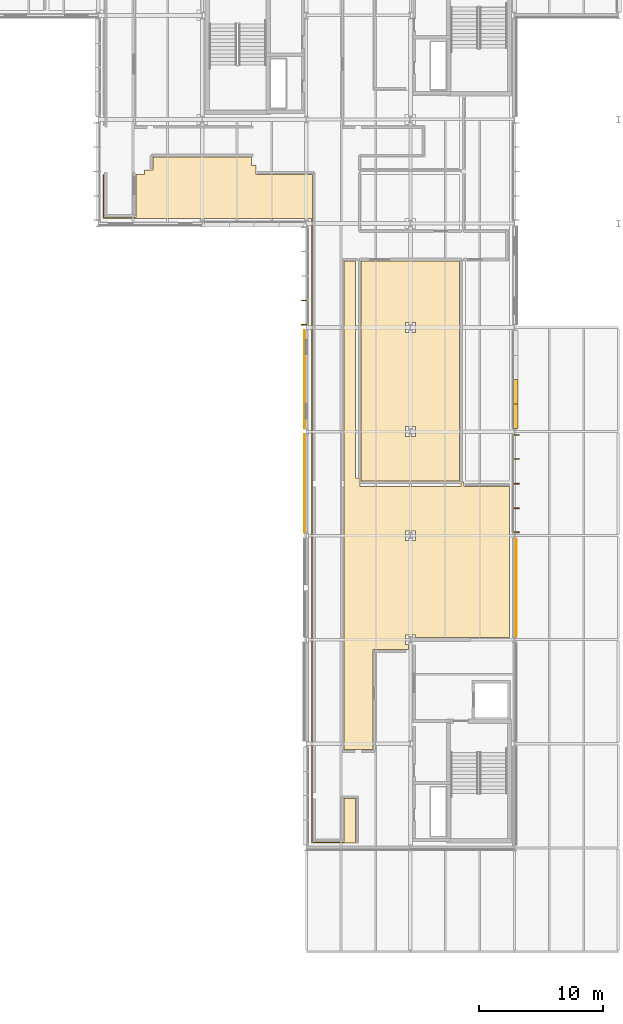
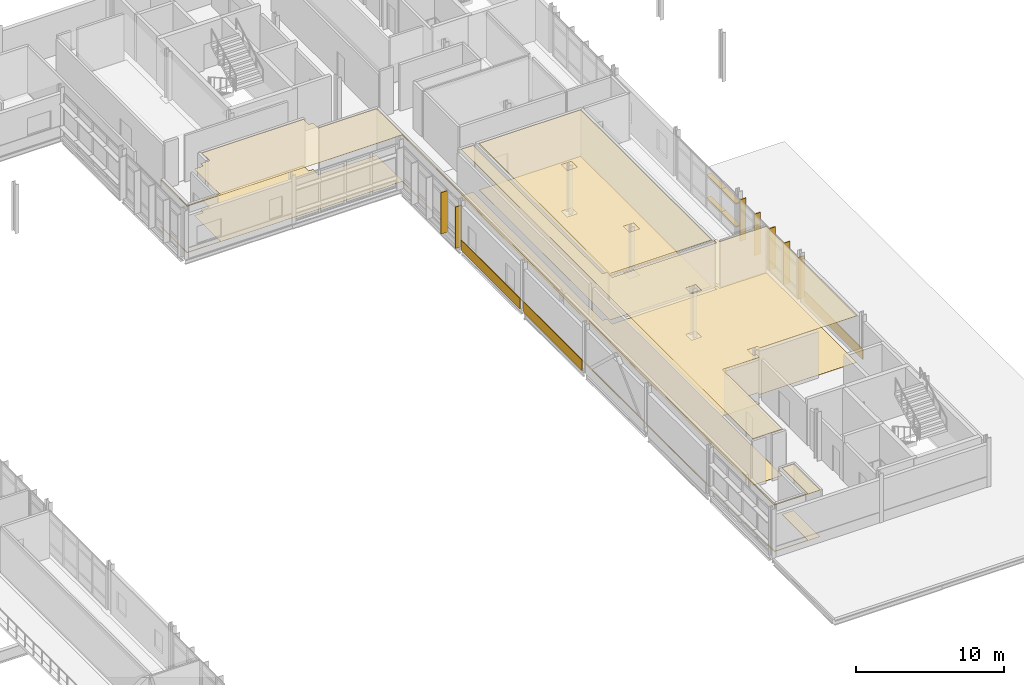
# One storey, part 148 of 151: 11 shading devices, 9 coverings.
"""IFC4 building model written with IfcOpenShell, lengths in metres."""

import ifcopenshell
import ifcopenshell.guid

model = None  # the IFC model being written
_history = None  # IfcOwnerHistory: only IFC2X3 demands one
_inside = {}  # id of a spatial element -> (the spatial element, [elements in it])
_under = {}  # id of a project, library or spatial element -> (it, [spatial elements below it])
_declared = {}  # id of a project -> (the project, [libraries it declares])
_typed = {}  # id of a type object -> (the type object, [elements of that type])
_made_of = {}  # id of a material, layer set ... -> (it, [elements and type objects made of it])


def new_model(schema):
    """Start an empty IFC model of exactly this schema.

    Asked for "IFC4X3", IfcOpenShell would pick the latest addendum, in which some entities
    have other attributes; the version numbers below select the first issue.
    IFC2X3 requires an IfcOwnerHistory on every rooted entity: one is made here for all.
    """
    global model, _history
    if schema == "IFC4X3":
        model = ifcopenshell.file(schema_version=(4, 3, 0, 0))
    else:
        model = ifcopenshell.file(schema=schema)
    _inside.clear()
    _under.clear()
    _declared.clear()
    _typed.clear()
    _made_of.clear()
    _history = None
    if model.schema == "IFC2X3":
        org = make("IfcOrganization", Name="unknown")
        user = make(
            "IfcPersonAndOrganization",
            ThePerson=make("IfcPerson", FamilyName="unknown"),
            TheOrganization=org,
        )
        app = make(
            "IfcApplication",
            ApplicationDeveloper=org,
            Version="unknown",
            ApplicationFullName="unknown",
            ApplicationIdentifier="unknown",
        )
        _history = make(
            "IfcOwnerHistory",
            OwningUser=user,
            OwningApplication=app,
            ChangeAction="ADDED",
            CreationDate=0,
        )
    return model


def make(cls, **values):
    """One entity of the class cls with the attributes given. An attribute that is None is left unset."""
    return model.create_entity(
        cls, **{name: value for name, value in values.items() if value is not None}
    )


def rooted(cls, **values):
    """An entity with a GlobalId (a new one), such as an element, a storey or a relation."""
    return make(cls, GlobalId=ifcopenshell.guid.new(), OwnerHistory=_history, **values)


def si_unit(unit_type, name, prefix=None):
    """IfcSIUnit, for example si_unit("LENGTHUNIT", "METRE", prefix="MILLI")."""
    return make("IfcSIUnit", UnitType=unit_type, Prefix=prefix, Name=name)


def assignment(units):
    """IfcUnitAssignment: the units of a project."""
    return None if units is None else make("IfcUnitAssignment", Units=units)


def point(xyz):
    """IfcCartesianPoint."""
    return None if xyz is None else make("IfcCartesianPoint", Coordinates=xyz)


def direction(xyz):
    """IfcDirection."""
    return None if xyz is None else make("IfcDirection", DirectionRatios=xyz)


def frame(location, z_axis=None, x_axis=None):
    """IfcAxis2Placement3D, a coordinate frame: its origin and axes. An axis left out is left unset."""
    return make(
        "IfcAxis2Placement3D",
        Location=point(location),
        Axis=direction(z_axis),
        RefDirection=direction(x_axis),
    )


def frame_2d(location, x_axis=None):
    """IfcAxis2Placement2D, a coordinate frame in the plane: its origin and x axis."""
    return make(
        "IfcAxis2Placement2D", Location=point(location), RefDirection=direction(x_axis)
    )


def origin():
    """The frame at (0, 0, 0) with its axes left unset."""
    return frame((0.0, 0.0, 0.0))


def origin_2d():
    """The frame at (0, 0) in the plane with its x axis left unset."""
    return frame_2d((0.0, 0.0))


def place(relative_to, where):
    """IfcLocalPlacement: puts the frame where relative to a parent placement (None: the world)."""
    return make(
        "IfcLocalPlacement", PlacementRelTo=relative_to, RelativePlacement=where
    )


def context(
    kind, dimensions, precision=None, world=None, true_north=None, identifier=None
):
    """IfcGeometricRepresentationContext, for example the 3D "Model" context."""
    return make(
        "IfcGeometricRepresentationContext",
        ContextIdentifier=identifier,
        ContextType=kind,
        CoordinateSpaceDimension=dimensions,
        Precision=precision,
        WorldCoordinateSystem=world,
        TrueNorth=true_north,
    )


def subcontext(parent, identifier, kind, view, scale=None):
    """IfcGeometricRepresentationSubContext, for example "Body" below "Model"."""
    return make(
        "IfcGeometricRepresentationSubContext",
        ContextIdentifier=identifier,
        ContextType=kind,
        ParentContext=parent,
        TargetScale=scale,
        TargetView=view,
    )


def project(units=None, contexts=None):
    """IfcProject with its units and contexts."""
    return rooted(
        "IfcProject",
        Name="project",
        RepresentationContexts=contexts,
        UnitsInContext=assignment(units),
    )


def spatial(cls, under=None, at=None, **own):
    """A site, building, storey or space (cls), placed at a placement, below another one or the project."""
    s = rooted(cls, ObjectPlacement=at, **own)
    if under is not None:
        _under.setdefault(under.id(), (under, []))[1].append(s)
    return s


def polyline(points):
    """IfcPolyline through the points."""
    return make("IfcPolyline", Points=[point(p) for p in points])


def profile(cls, at=None, kind="AREA", **sizes):
    """A parametric profile (cls). Its sizes go by their IFC names, for example OverallWidth=200.0."""
    return make(cls, ProfileType=kind, Position=at, **sizes)


def rectangle(**sizes):
    """IfcRectangleProfileDef."""
    return profile("IfcRectangleProfileDef", **sizes)


def outline(outer, holes=None, kind="AREA"):
    """IfcArbitraryClosedProfileDef: a profile drawn as a closed curve; with holes, ...WithVoids."""
    if holes is None:
        return make("IfcArbitraryClosedProfileDef", ProfileType=kind, OuterCurve=outer)
    return make(
        "IfcArbitraryProfileDefWithVoids",
        ProfileType=kind,
        OuterCurve=outer,
        InnerCurves=holes,
    )


def extrude(swept, where, along, depth):
    """IfcExtrudedAreaSolid: the profile swept, set in the frame where, extruded along a direction by depth."""
    return make(
        "IfcExtrudedAreaSolid",
        SweptArea=swept,
        Position=where,
        ExtrudedDirection=direction(along),
        Depth=depth,
    )


def shape(context_of_items, identifier, shape_type, items):
    """IfcShapeRepresentation: the items that make up one representation, for example the "Body"."""
    return make(
        "IfcShapeRepresentation",
        ContextOfItems=context_of_items,
        RepresentationIdentifier=identifier,
        RepresentationType=shape_type,
        Items=items,
    )


def material(Name=None, Category=None):
    """IfcMaterial."""
    return make("IfcMaterial", Name=Name, Category=Category)


def layer(
    of_material, thickness, ventilated=None, Name=None, Category=None, Priority=None
):
    """IfcMaterialLayer: one layer of a wall or slab, of a material (None: an air gap)."""
    return make(
        "IfcMaterialLayer",
        Material=of_material,
        LayerThickness=thickness,
        IsVentilated=ventilated,
        Name=Name,
        Category=Category,
        Priority=Priority,
    )


def layer_set(layers, Name=None):
    """IfcMaterialLayerSet."""
    return make("IfcMaterialLayerSet", MaterialLayers=layers, LayerSetName=Name)


def made_of(thing, what):
    """Note that an element or type object is made of a material, layer set ...; save() writes the relation."""
    if what is not None:
        _made_of.setdefault(what.id(), (what, []))[1].append(thing)
    return thing


def type_object(cls, material=None, **own):
    """A type object (cls), such as IfcWallType, which elements share."""
    return made_of(rooted(cls, **own), material)


def element(
    cls,
    number,
    at=None,
    inside=None,
    cuts=None,
    type_object=None,
    material=None,
    context=None,
    identifier="Body",
    shape_type=None,
    held_by="IfcProductDefinitionShape",
    body=None,
    shapes=None,
    **own,
):
    """One element of the class cls, such as IfcWall. Its Tag is "e" and its number.

    at: its placement. inside: the storey or other place that contains it. cuts: it is an
    opening in that element (IfcRelVoidsElement). A single representation is given by context,
    identifier, shape_type and body (its items); several are given by shapes. held_by: the class
    of the entity that holds the representations. save() writes the other relations.
    """
    e = rooted(cls, Tag="e%d" % number, ObjectPlacement=at, **own)
    if body is not None:
        shapes = [shape(context, identifier, shape_type, body)]
    if shapes is not None:
        e.Representation = make(held_by, Representations=shapes)
    if inside is not None:
        _inside.setdefault(inside.id(), (inside, []))[1].append(e)
    if cuts is not None:
        rooted(
            "IfcRelVoidsElement", RelatingBuildingElement=cuts, RelatedOpeningElement=e
        )
    if type_object is not None:
        _typed.setdefault(type_object.id(), (type_object, []))[1].append(e)
    return made_of(e, material)


def aggregate(whole, parts):
    """IfcRelAggregates: a whole, such as a stair, and the parts it consists of."""
    return rooted("IfcRelAggregates", RelatingObject=whole, RelatedObjects=parts)


def save(model, path):
    """Write the relations noted so far, then the file.

    IfcRelAggregates (storeys below a building ...), IfcRelContainedInSpatialStructure (elements
    in a storey), IfcRelDefinesByType, IfcRelAssociatesMaterial and IfcRelDeclares: one each for
    every whole, place, type object, material and project.
    """
    for whole, parts in _under.values():
        aggregate(whole, parts)
    for where, things in _inside.values():
        rooted(
            "IfcRelContainedInSpatialStructure",
            RelatedElements=things,
            RelatingStructure=where,
        )
    for kind, things in _typed.values():
        rooted("IfcRelDefinesByType", RelatedObjects=things, RelatingType=kind)
    for what, things in _made_of.values():
        rooted("IfcRelAssociatesMaterial", RelatedObjects=things, RelatingMaterial=what)
    for by, libraries in _declared.values():
        rooted("IfcRelDeclares", RelatingContext=by, RelatedDefinitions=libraries)
    model.write(path)


model = new_model("IFC4")

# Units and contexts
model_context = context("Model", 3, precision=1e-05, world=origin(), true_north=direction((0.0, 1.0)))
body_context = subcontext(model_context, "Body", "Model", "MODEL_VIEW")
ifc_project = project(units=[si_unit("LENGTHUNIT", "METRE"), si_unit("AREAUNIT", "SQUARE_METRE"), si_unit("VOLUMEUNIT", "CUBIC_METRE"), si_unit("PLANEANGLEUNIT", "RADIAN"), si_unit("MASSUNIT", "GRAM", prefix="KILO")], contexts=[model_context])

# Site, building, storey
site_placement = place(None, origin())
site = spatial("IfcSite", under=ifc_project, at=site_placement, CompositionType="ELEMENT")
building_placement = place(site_placement, origin())
building = spatial("IfcBuilding", under=site, at=building_placement, Name="Mersafa Astral City Hall", CompositionType="ELEMENT")
storey_placement = place(building_placement, frame((0.0, 0.0, 9.89990234375)))
storey = spatial("IfcBuildingStorey", under=building, at=storey_placement, Name="L02", CompositionType="ELEMENT", Elevation=9.89990234375)

# Coverings
ifc_material_1 = material(Name="Cairo Mokattam buff limestone cladding", Category="masonry")
ifc_layer_1 = layer(ifc_material_1, 0.06005859375, Name="Cairo Mokattam buff limestone cladding")
ifc_layer_set_1 = layer_set([ifc_layer_1], Name="Cairo Mokattam buff limestone cladding — ENV-COV-LIMESTONE-60")
covering_type_1 = type_object("IfcCoveringType", Name="ENV-COV-LIMESTONE-60", PredefinedType="CLADDING", material=ifc_layer_set_1)
covering_1_placement = place(storey_placement, frame((159.445556640625, 88.2099609375, 0.0), z_axis=(0.0, 0.0, 1.0), x_axis=(0.0, -1.0, 0.0)))
element("IfcCovering", 1, at=covering_1_placement, inside=storey, type_object=covering_type_1, Name="L02 Cairo buff limestone rainscreen cladding 164", PredefinedType="CLADDING", context=body_context, shape_type="SweptSolid", body=[
    extrude(rectangle(XDim=7.968017578125, YDim=0.06005859375, at=origin_2d()), origin(), (0.0, 0.0, 1.0), 0.860107421875),
])
covering_2_placement = place(storey_placement, frame((159.452880859375, 79.8125, 0.0), z_axis=(0.0, 0.0, 1.0), x_axis=(0.0, -1.0, 0.0)))
element("IfcCovering", 2, at=covering_2_placement, inside=storey, type_object=covering_type_1, Name="L02 Cairo buff limestone rainscreen cladding 165", PredefinedType="CLADDING", context=body_context, shape_type="SweptSolid", body=[
    extrude(rectangle(XDim=7.923095703125, YDim=0.06005859375, at=origin_2d()), origin(), (0.0, 0.0, 1.0), 0.860107421875),
])
covering_3_placement = place(storey_placement, frame((176.53955078125, 71.39990234375, 0.0), z_axis=(0.0, 0.0, 1.0), x_axis=(0.0, 1.0, 0.0)))
element("IfcCovering", 3, at=covering_3_placement, inside=storey, type_object=covering_type_1, Name="L02 Cairo buff limestone rainscreen cladding 172", PredefinedType="CLADDING", context=body_context, shape_type="SweptSolid", body=[
    extrude(rectangle(XDim=7.89794921875, YDim=0.06005859375, at=origin_2d()), origin(), (0.0, 0.0, 1.0), 0.860107421875),
])

# Shading devices
ifc_material_2 = material(Name="Anodised bronze aluminium solar fin", Category="aluminium")
shading_device_type_1 = type_object("IfcShadingDeviceType", Name="ENV-SHD-FIN-500A", PredefinedType="USERDEFINED", material=ifc_material_2)
for number, where, z_axis, x_axis, name in (
    (4, (159.455078125, 94.57861328125, -0.01513671875), (0.0, 0.0, 1.0), (0.0, -1.0, 0.0), "L02 Vertical bronze solar fin 782"),
    (5, (159.455078125, 92.6220703125, -0.01513671875), (0.0, 0.0, 1.0), (0.0, -1.0, 0.0), "L02 Vertical bronze solar fin 783"),
    (6, (176.544921875, 75.866943359375, -0.01513671875), (0.0, 0.0, 1.0), (0.0, 1.0, 0.0), "L02 Vertical bronze solar fin 792"),
    (7, (176.544921875, 77.818603515625, -0.01513671875), (0.0, 0.0, 1.0), (0.0, 1.0, 0.0), "L02 Vertical bronze solar fin 793"),
    (8, (176.544921875, 79.800048828125, -0.01513671875), (0.0, 0.0, 1.0), (0.0, 1.0, 0.0), "L02 Vertical bronze solar fin 794"),
    (9, (176.544921875, 81.781494140625, -0.01513671875), (0.0, 0.0, 1.0), (0.0, 1.0, 0.0), "L02 Vertical bronze solar fin 795"),
    (10, (176.544921875, 83.73291015625, -0.01513671875), (0.0, 0.0, 1.0), (0.0, 1.0, 0.0), "L02 Vertical bronze solar fin 796"),
):
    element("IfcShadingDevice", number, at=place(storey_placement, frame(where, z_axis=z_axis, x_axis=x_axis)), inside=storey, type_object=shading_device_type_1, Name=name, ObjectType="FIN", PredefinedType="USERDEFINED", context=body_context, shape_type="SweptSolid", body=[
        extrude(rectangle(XDim=0.06005859375, YDim=0.5, at=origin_2d()), origin(), (0.0, 0.0, 1.0), 3.422119140625),
    ])
ifc_material_3 = material(Name="Kiln-dried cedar timber brise-soleil blade", Category="wood")
shading_device_type_2 = type_object("IfcShadingDeviceType", Name="ENV-SHD-LOUVRE-380", PredefinedType="JALOUSIE", material=ifc_material_3)
shading_device_1_placement = place(storey_placement, frame((176.47998046875, 85.242919921875, 0.81494140625), z_axis=(0.0, 0.0, 1.0), x_axis=(0.0, 1.0, 0.0)))
element("IfcShadingDevice", 11, at=shading_device_1_placement, inside=storey, type_object=shading_device_type_2, Name="L02 Horizontal cedar brise-soleil louvre 797", PredefinedType="JALOUSIE", context=body_context, shape_type="SweptSolid", body=[
    extrude(rectangle(XDim=1.991455078125, YDim=0.3798828125, at=origin_2d()), origin(), (0.0, 0.0, 1.0), 0.070068359375),
])
shading_device_2_placement = place(storey_placement, frame((176.47998046875, 87.209228515625, 0.81494140625), z_axis=(0.0, 0.0, 1.0), x_axis=(0.0, 1.0, 0.0)))
element("IfcShadingDevice", 12, at=shading_device_2_placement, inside=storey, type_object=shading_device_type_2, Name="L02 Horizontal cedar brise-soleil louvre 798", PredefinedType="JALOUSIE", context=body_context, shape_type="SweptSolid", body=[
    extrude(rectangle(XDim=2.021484375, YDim=0.3798828125, at=origin_2d()), origin(), (0.0, 0.0, 1.0), 0.070068359375),
])
shading_device_3_placement = place(storey_placement, frame((176.47998046875, 85.242919921875, 2.71484375), z_axis=(0.0, 0.0, 1.0), x_axis=(0.0, 1.0, 0.0)))
element("IfcShadingDevice", 13, at=shading_device_3_placement, inside=storey, type_object=shading_device_type_2, Name="L02 Horizontal cedar brise-soleil louvre 801", PredefinedType="JALOUSIE", context=body_context, shape_type="SweptSolid", body=[
    extrude(rectangle(XDim=1.991455078125, YDim=0.3798828125, at=origin_2d()), origin(), (0.0, 0.0, 1.0), 0.070068359375),
])
shading_device_4_placement = place(storey_placement, frame((176.47998046875, 87.209228515625, 2.71484375), z_axis=(0.0, 0.0, 1.0), x_axis=(0.0, 1.0, 0.0)))
element("IfcShadingDevice", 14, at=shading_device_4_placement, inside=storey, type_object=shading_device_type_2, Name="L02 Horizontal cedar brise-soleil louvre 802", PredefinedType="JALOUSIE", context=body_context, shape_type="SweptSolid", body=[
    extrude(rectangle(XDim=2.021484375, YDim=0.3798828125, at=origin_2d()), origin(), (0.0, 0.0, 1.0), 0.070068359375),
])

# Coverings
ifc_material_4 = material(Name="Perforated acoustic gypsum board ceiling", Category="gypsum")
ifc_layer_2 = layer(ifc_material_4, 0.02490234375, Name="Perforated acoustic gypsum board ceiling")
ifc_layer_set_2 = layer_set([ifc_layer_2], Name="Perforated acoustic gypsum board ceiling — INT-COV-CEIL-25")
covering_type_2 = type_object("IfcCoveringType", Name="INT-COV-CEIL-25", PredefinedType="CEILING", material=ifc_layer_set_2)
covering_4_placement = place(storey_placement, frame((0.0, 0.0, 3.8310546875)))
element("IfcCovering", 15, at=covering_4_placement, inside=storey, type_object=covering_type_2, Name="L02 Hearing Room L02-04 acoustic ceiling", PredefinedType="CEILING", context=body_context, shape_type="SweptSolid", body=[
    extrude(outline(polyline([(164.030029296875, 80.030029296875), (164.030029296875, 97.760009765625), (171.969970703125, 97.760009765625), (171.969970703125, 80.030029296875), (164.030029296875, 80.030029296875)]), holes=[polyline([(168.39501953125, 83.60498046875), (168.39501953125, 84.39501953125), (167.60498046875, 84.39501953125), (167.60498046875, 83.60498046875), (168.39501953125, 83.60498046875)]), polyline([(167.60498046875, 92.0048828125), (168.39501953125, 92.0048828125), (168.39501953125, 92.794921875), (167.60498046875, 92.794921875), (167.60498046875, 92.0048828125)])]), origin(), (0.0, 0.0, 1.0), 0.025146484375),
])
covering_5_placement = place(storey_placement, frame((0.0, 0.0, 3.8310546875)))
element("IfcCovering", 16, at=covering_5_placement, inside=storey, type_object=covering_type_2, Name="L02 Municipal Reference Reading Room L02-06 acoustic ceiling", PredefinedType="CEILING", context=body_context, shape_type="SweptSolid", body=[
    extrude(outline(polyline([(172.320068359375, 79.919921875), (172.320068359375, 79.570068359375), (176.0, 79.570068359375), (176.0, 67.360107421875), (168.39501953125, 67.360107421875), (168.39501953125, 67.594970703125), (167.60498046875, 67.594970703125), (167.60498046875, 66.804931640625), (167.840087890625, 66.804931640625), (167.840087890625, 66.419921875), (164.9599609375, 66.419921875), (164.9599609375, 58.320068359375), (162.639892578125, 58.320068359375), (162.639892578125, 97.760009765625), (163.570068359375, 97.760009765625), (163.570068359375, 80.27001953125), (163.919921875, 80.27001953125), (163.919921875, 79.570068359375), (172.080078125, 79.570068359375), (172.080078125, 79.919921875), (172.320068359375, 79.919921875)]), holes=[polyline([(168.39501953125, 75.205078125), (168.39501953125, 75.9951171875), (167.60498046875, 75.9951171875), (167.60498046875, 75.205078125), (168.39501953125, 75.205078125)])]), origin(), (0.0, 0.0, 1.0), 0.025146484375),
])
covering_6_placement = place(storey_placement, frame((0.0, 0.0, 3.8310546875)))
element("IfcCovering", 17, at=covering_6_placement, inside=storey, type_object=covering_type_2, Name="L02 Standing Committee Room L02-30 acoustic ceiling", PredefinedType="CEILING", context=body_context, shape_type="SweptSolid", body=[
    extrude(outline(polyline([(143.219970703125, 101.219970703125), (143.199951171875, 101.219970703125), (143.199951171875, 104.77001953125), (143.280029296875, 104.77001953125), (143.280029296875, 101.280029296875), (145.840087890625, 101.280029296875), (145.840087890625, 104.77001953125), (146.530029296875, 104.77001953125), (146.530029296875, 105.1201171875), (147.22998046875, 105.1201171875), (147.22998046875, 106.159912109375), (155.169921875, 106.159912109375), (155.169921875, 105.469970703125), (155.52001953125, 105.469970703125), (155.52001953125, 104.77001953125), (160.080078125, 104.77001953125), (160.080078125, 50.8798828125), (162.639892578125, 50.8798828125), (162.639892578125, 54.3701171875), (163.570068359375, 54.3701171875), (163.570068359375, 50.800048828125), (160.0, 50.800048828125), (160.0, 100.3798828125), (160.02001953125, 100.3798828125), (160.02001953125, 101.219970703125), (159.179931640625, 101.219970703125), (159.179931640625, 101.199951171875), (151.6201171875, 101.199951171875), (151.6201171875, 101.219970703125), (150.780029296875, 101.219970703125), (150.780029296875, 101.199951171875), (143.219970703125, 101.199951171875), (143.219970703125, 101.219970703125)])), origin(), (0.0, 0.0, 1.0), 0.025146484375),
])
ifc_material_5 = material(Name="Heavy-duty woven acoustic carpet tile", Category="finish")
ifc_layer_3 = layer(ifc_material_5, 0.014892578125, Name="Heavy-duty woven acoustic carpet tile")
ifc_layer_set_3 = layer_set([ifc_layer_3], Name="Heavy-duty woven acoustic carpet tile — INT-COV-FLR-15")
covering_type_3 = type_object("IfcCoveringType", Name="INT-COV-FLR-15", PredefinedType="FLOORING", material=ifc_layer_set_3)
covering_7_placement = place(storey_placement, frame((0.0, 0.0, -0.00146484375)))
element("IfcCovering", 18, at=covering_7_placement, inside=storey, type_object=covering_type_3, Name="L02 Hearing Room L02-04 architectural flooring", PredefinedType="FLOORING", context=body_context, shape_type="SweptSolid", body=[
    extrude(outline(polyline([(164.030029296875, 80.030029296875), (164.030029296875, 97.760009765625), (171.969970703125, 97.760009765625), (171.969970703125, 80.030029296875), (164.030029296875, 80.030029296875)]), holes=[polyline([(168.39501953125, 83.60498046875), (168.39501953125, 84.39501953125), (167.60498046875, 84.39501953125), (167.60498046875, 83.60498046875), (168.39501953125, 83.60498046875)]), polyline([(167.60498046875, 92.0048828125), (168.39501953125, 92.0048828125), (168.39501953125, 92.794921875), (167.60498046875, 92.794921875), (167.60498046875, 92.0048828125)])]), origin(), (0.0, 0.0, 1.0), 0.014892578125),
])
covering_8_placement = place(storey_placement, frame((0.0, 0.0, -0.00146484375)))
element("IfcCovering", 19, at=covering_8_placement, inside=storey, type_object=covering_type_3, Name="L02 Municipal Reference Reading Room L02-06 architectural flooring", PredefinedType="FLOORING", context=body_context, shape_type="SweptSolid", body=[
    extrude(outline(polyline([(172.320068359375, 79.919921875), (172.320068359375, 79.570068359375), (176.0, 79.570068359375), (176.0, 67.360107421875), (168.39501953125, 67.360107421875), (168.39501953125, 67.594970703125), (167.60498046875, 67.594970703125), (167.60498046875, 66.804931640625), (167.840087890625, 66.804931640625), (167.840087890625, 66.419921875), (164.9599609375, 66.419921875), (164.9599609375, 58.320068359375), (162.639892578125, 58.320068359375), (162.639892578125, 97.760009765625), (163.570068359375, 97.760009765625), (163.570068359375, 80.27001953125), (163.919921875, 80.27001953125), (163.919921875, 79.570068359375), (172.080078125, 79.570068359375), (172.080078125, 79.919921875), (172.320068359375, 79.919921875)]), holes=[polyline([(168.39501953125, 75.205078125), (168.39501953125, 75.9951171875), (167.60498046875, 75.9951171875), (167.60498046875, 75.205078125), (168.39501953125, 75.205078125)])]), origin(), (0.0, 0.0, 1.0), 0.014892578125),
])
covering_9_placement = place(storey_placement, frame((0.0, 0.0, -0.00146484375)))
element("IfcCovering", 20, at=covering_9_placement, inside=storey, type_object=covering_type_3, Name="L02 Standing Committee Room L02-30 architectural flooring", PredefinedType="FLOORING", context=body_context, shape_type="SweptSolid", body=[
    extrude(outline(polyline([(143.219970703125, 101.219970703125), (143.199951171875, 101.219970703125), (143.199951171875, 104.77001953125), (143.280029296875, 104.77001953125), (143.280029296875, 101.280029296875), (145.840087890625, 101.280029296875), (145.840087890625, 104.77001953125), (146.530029296875, 104.77001953125), (146.530029296875, 105.1201171875), (147.22998046875, 105.1201171875), (147.22998046875, 106.159912109375), (155.169921875, 106.159912109375), (155.169921875, 105.469970703125), (155.52001953125, 105.469970703125), (155.52001953125, 104.77001953125), (160.080078125, 104.77001953125), (160.080078125, 50.8798828125), (162.639892578125, 50.8798828125), (162.639892578125, 54.3701171875), (163.570068359375, 54.3701171875), (163.570068359375, 50.800048828125), (160.0, 50.800048828125), (160.0, 100.3798828125), (160.02001953125, 100.3798828125), (160.02001953125, 101.219970703125), (159.179931640625, 101.219970703125), (159.179931640625, 101.199951171875), (151.6201171875, 101.199951171875), (151.6201171875, 101.219970703125), (150.780029296875, 101.219970703125), (150.780029296875, 101.199951171875), (143.219970703125, 101.199951171875), (143.219970703125, 101.219970703125)])), origin(), (0.0, 0.0, 1.0), 0.014892578125),
])

save(model, "model.ifc")
